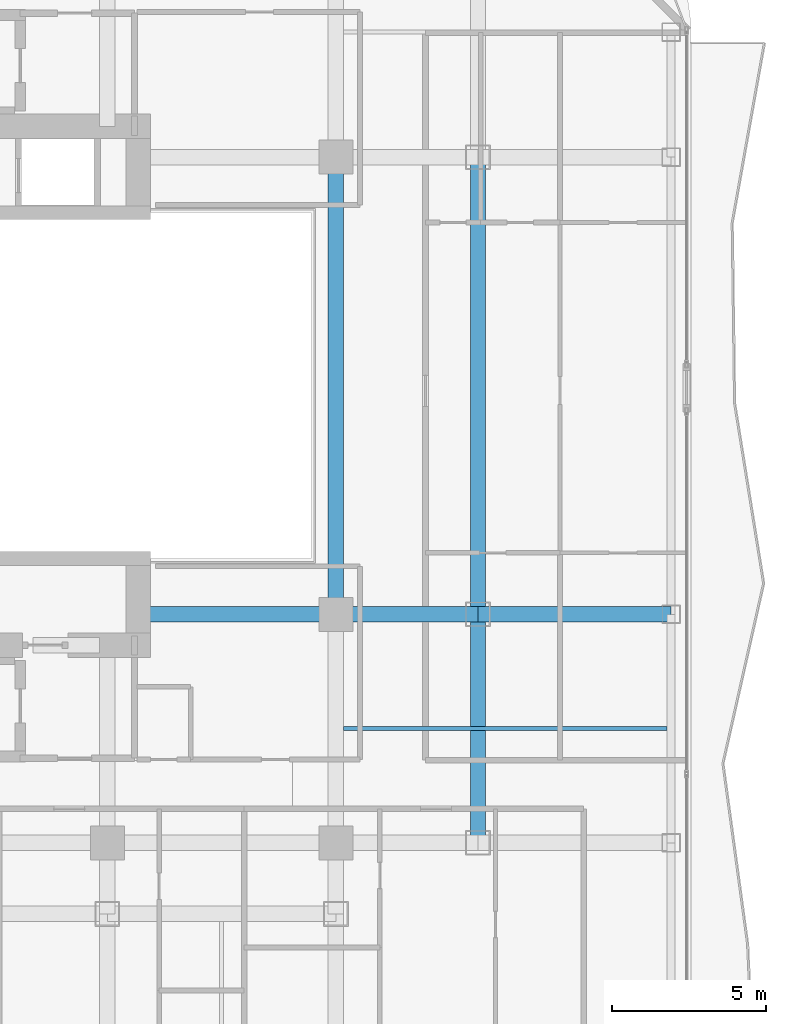
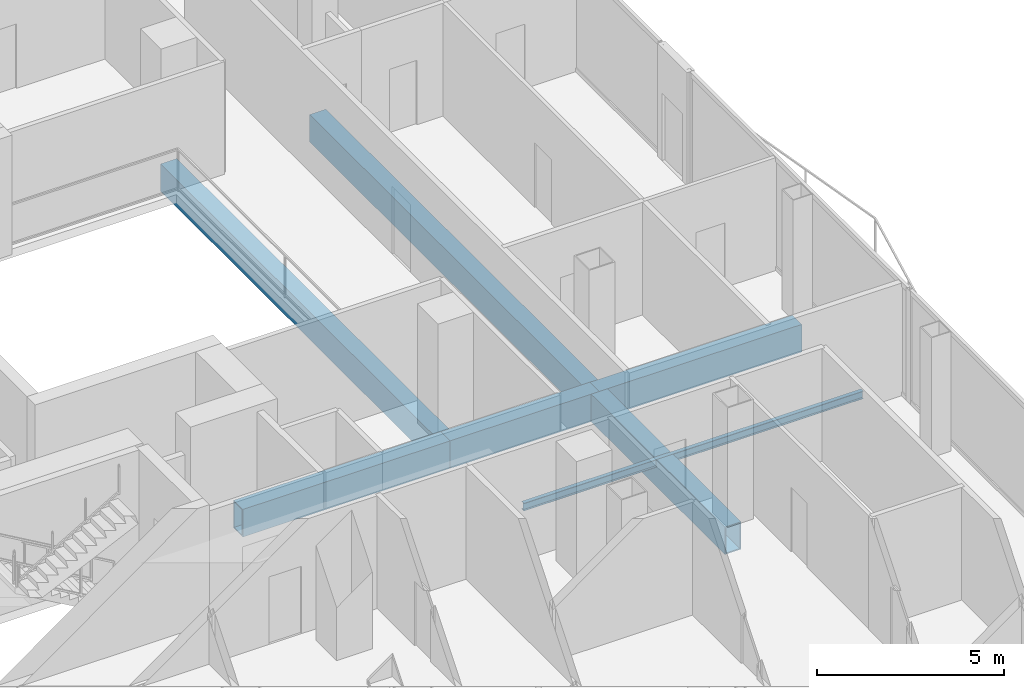
# One storey, part 10 of 26: 7 beams.
"""IFC4 building model written with IfcOpenShell, lengths in metres."""

from ifc_helpers import new_model, si_unit, direction, frame, origin, origin_2d, place, context, subcontext, project, spatial, hollow_rectangle, i_section, extrude, material, material_profile, profile_set, type_object, element, save


model = new_model("IFC4")

# Units and contexts
model_context = context("Model", 3, precision=1e-05, world=origin(), true_north=direction((0.0, 1.0)))
body_context = subcontext(model_context, "Body", "Model", "MODEL_VIEW")
ifc_project = project(units=[si_unit("LENGTHUNIT", "METRE"), si_unit("AREAUNIT", "SQUARE_METRE"), si_unit("VOLUMEUNIT", "CUBIC_METRE"), si_unit("PLANEANGLEUNIT", "RADIAN"), si_unit("MASSUNIT", "GRAM", prefix="KILO")], contexts=[model_context])

# Site, building, storey
site_placement = place(None, origin())
site = spatial("IfcSite", under=ifc_project, at=site_placement, CompositionType="ELEMENT")
building_placement = place(site_placement, origin())
building = spatial("IfcBuilding", under=site, at=building_placement, Name="Khorvyn Point Tower", CompositionType="ELEMENT")
storey_placement = place(building_placement, frame((0.0, 0.0, 219.60009765625)))
storey = spatial("IfcBuildingStorey", under=building, at=storey_placement, Name="L54", CompositionType="ELEMENT", Elevation=219.60009765625)

# Beams
ifc_material_1 = material(Name="Steel S355", Category="steel")
ifc_material_profile_1 = material_profile(ifc_material_1, i_section(OverallWidth=0.125, OverallDepth=0.25, WebThickness=0.006103515625, FlangeThickness=0.009033203125, at=origin_2d()))
ifc_profile_set_1 = profile_set([ifc_material_profile_1], Name="Steel S355 H250x125x6x9")
beam_type_1 = type_object("IfcBeamType", Name="Steel S355 Joist H250x125x6x9", PredefinedType="JOIST", material=ifc_profile_set_1)
beam_1_placement = place(storey_placement, frame((15.050048828125, -11.10009765625, -0.405029296875), z_axis=(1.0, 0.0, 0.0), x_axis=(0.0, 1.0, 0.0)))
element("IfcBeam", 1, at=beam_1_placement, inside=storey, type_object=beam_type_1, Name="Beam", PredefinedType="JOIST", context=body_context, shape_type="SweptSolid", body=[
    extrude(i_section(OverallWidth=0.125, OverallDepth=0.25, WebThickness=0.006103515625, FlangeThickness=0.009033203125, at=origin_2d()), origin(), (0.0, 0.0, 1.0), 10.474853515625),
])
ifc_material_2 = material(Name="Steel S450", Category="steel")
ifc_material_profile_2 = material_profile(ifc_material_2, hollow_rectangle(XDim=0.5, YDim=0.89990234375, WallThickness=0.0400390625, at=origin_2d()))
ifc_profile_set_2 = profile_set([ifc_material_profile_2], Name="Steel S450 BOX900x500x40")
beam_type_2 = type_object("IfcBeamType", Name="Steel S450 Beam BOX900x500x40", PredefinedType="BEAM", material=ifc_profile_set_2)
beam_2_placement = place(storey_placement, frame((8.39990234375, -7.39990234375, -0.72998046875), z_axis=(1.0, 0.0, 0.0), x_axis=(0.0, 1.0, 0.0)))
element("IfcBeam", 2, at=beam_2_placement, inside=storey, type_object=beam_type_2, Name="Beam", PredefinedType="BEAM", context=body_context, shape_type="SweptSolid", body=[
    extrude(hollow_rectangle(XDim=0.5, YDim=0.89990234375, WallThickness=0.0400390625, at=origin_2d()), origin(), (0.0, 0.0, 1.0), 6.400146484375),
])
beam_3_placement = place(storey_placement, frame((14.800048828125, -7.39990234375, -0.72998046875), z_axis=(1.0, 0.0, 0.0), x_axis=(0.0, 1.0, 0.0)))
element("IfcBeam", 3, at=beam_3_placement, inside=storey, type_object=beam_type_2, Name="Beam", PredefinedType="BEAM", context=body_context, shape_type="SweptSolid", body=[
    extrude(hollow_rectangle(XDim=0.5, YDim=0.89990234375, WallThickness=0.0400390625, at=origin_2d()), origin(), (0.0, 0.0, 1.0), 4.599853515625),
])
beam_4_placement = place(storey_placement, frame((19.39990234375, -7.39990234375, -0.72998046875), z_axis=(1.0, 0.0, 0.0), x_axis=(0.0, 1.0, 0.0)))
element("IfcBeam", 4, at=beam_4_placement, inside=storey, type_object=beam_type_2, Name="Beam", PredefinedType="BEAM", context=body_context, shape_type="SweptSolid", body=[
    extrude(hollow_rectangle(XDim=0.5, YDim=0.89990234375, WallThickness=0.0400390625, at=origin_2d()), origin(), (0.0, 0.0, 1.0), 6.25),
])
beam_5_placement = place(storey_placement, frame((14.800048828125, -7.39990234375, -0.72998046875), z_axis=(0.0, 1.0, 0.0), x_axis=(-1.0, 0.0, 0.0)))
element("IfcBeam", 5, at=beam_5_placement, inside=storey, type_object=beam_type_2, Name="L54 Radial Transfer Girder", PredefinedType="BEAM", context=body_context, shape_type="SweptSolid", body=[
    extrude(hollow_rectangle(XDim=0.5, YDim=0.89990234375, WallThickness=0.0400390625, at=origin_2d()), origin(), (0.0, 0.0, 1.0), 14.7998046875),
])
beam_6_placement = place(storey_placement, frame((19.39990234375, -14.800048828125, -0.72998046875), z_axis=(0.0, 1.0, 0.0), x_axis=(-1.0, 0.0, 0.0)))
element("IfcBeam", 6, at=beam_6_placement, inside=storey, type_object=beam_type_2, Name="Beam", PredefinedType="BEAM", context=body_context, shape_type="SweptSolid", body=[
    extrude(hollow_rectangle(XDim=0.5, YDim=0.89990234375, WallThickness=0.0400390625, at=origin_2d()), origin(), (0.0, 0.0, 1.0), 7.400146484375),
])
beam_7_placement = place(storey_placement, frame((19.39990234375, -7.39990234375, -0.72998046875), z_axis=(0.0, 1.0, 0.0), x_axis=(-1.0, 0.0, 0.0)))
element("IfcBeam", 7, at=beam_7_placement, inside=storey, type_object=beam_type_2, Name="Beam", PredefinedType="BEAM", context=body_context, shape_type="SweptSolid", body=[
    extrude(hollow_rectangle(XDim=0.5, YDim=0.89990234375, WallThickness=0.0400390625, at=origin_2d()), origin(), (0.0, 0.0, 1.0), 14.7998046875),
])

save(model, "model.ifc")
